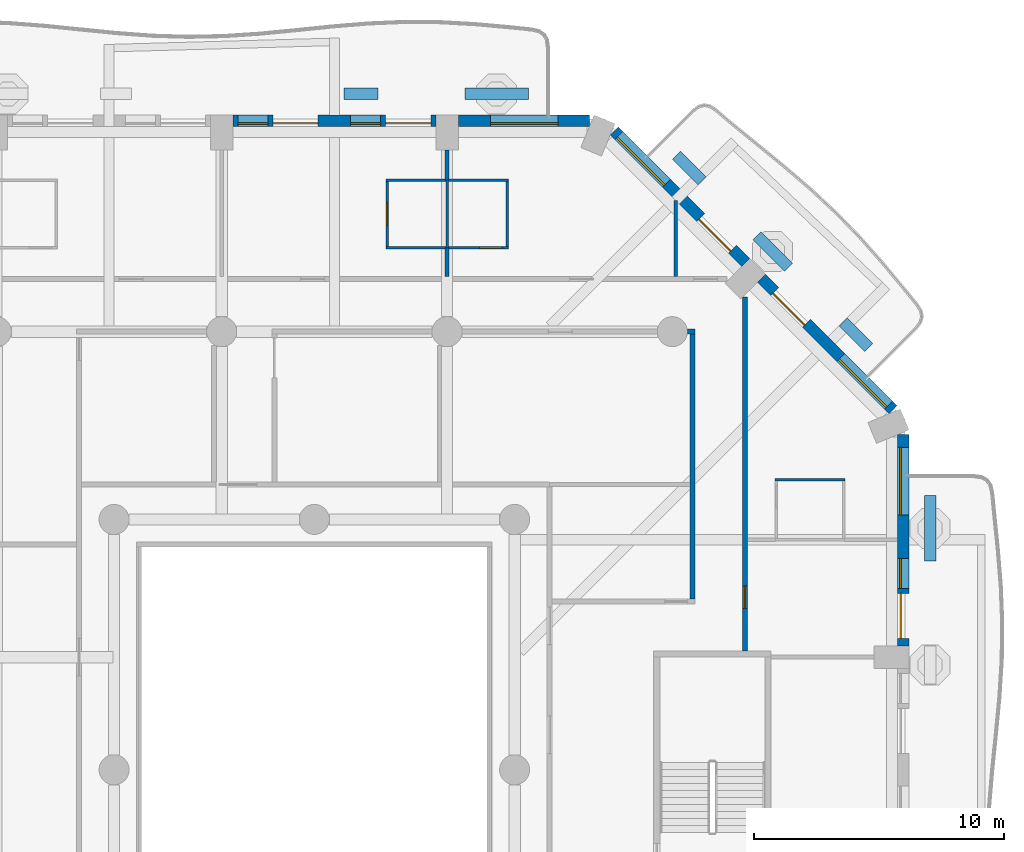
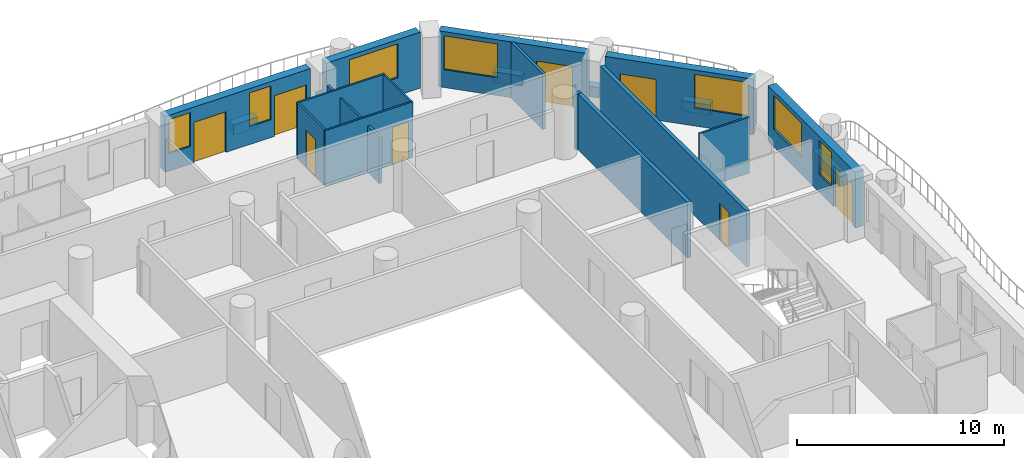
# One storey, part 9 of 19: 23 walls, 8 doors, 7 windows, 15 openings.
"""IFC4 building model written with IfcOpenShell, lengths in metres."""

from ifc_helpers import new_model, si_unit, direction, frame, frame_2d, origin, place, context, subcontext, project, spatial, rectangle, extrude, material, layer, layer_set, type_object, element, fill, save


model = new_model("IFC4")

# Units and contexts
model_context = context("Model", 3, precision=1e-05, world=origin(), true_north=direction((0.0, 1.0)))
body_context = subcontext(model_context, "Body", "Model", "MODEL_VIEW")
ifc_project = project(units=[si_unit("LENGTHUNIT", "METRE"), si_unit("AREAUNIT", "SQUARE_METRE"), si_unit("VOLUMEUNIT", "CUBIC_METRE"), si_unit("PLANEANGLEUNIT", "RADIAN"), si_unit("MASSUNIT", "GRAM", prefix="KILO")], contexts=[model_context])

# Site, building, storey
site_placement = place(None, origin())
site = spatial("IfcSite", under=ifc_project, at=site_placement, CompositionType="ELEMENT")
building_placement = place(site_placement, origin())
building = spatial("IfcBuilding", under=site, at=building_placement, Name="Cypress Arch Tower", CompositionType="ELEMENT")
storey_placement = place(building_placement, frame((0.0, 0.0, 69.89990234375)))
storey = spatial("IfcBuildingStorey", under=building, at=storey_placement, Name="L11", CompositionType="ELEMENT", Elevation=69.89990234375)

# Walls
ifc_material_1 = material(Name="Concrete C40/50, waterproofed", Category="concrete")
ifc_layer_1 = layer(ifc_material_1, 0.449951171875)
ifc_layer_set_1 = layer_set([ifc_layer_1], Name="Balcony planter wall PW450")
wall_type_1 = type_object("IfcWallType", Name="Balcony planter wall PW450", PredefinedType="SOLIDWALL", material=ifc_layer_set_1)
wall_1_placement = place(storey_placement, frame((25.60009765625, 8.335693359375, 0.0), z_axis=(0.0, 0.0, 1.0), x_axis=(0.0, 1.0, 0.0)))
element("IfcWall", 1, at=wall_1_placement, inside=storey, type_object=wall_type_1, Name="Balcony planter wall L11-A06.3", PredefinedType="SOLIDWALL", context=body_context, shape_type="SweptSolid", body=[
    extrude(rectangle(XDim=2.6142578125, YDim=0.449951171875, at=frame_2d((1.30712890625, 0.0))), origin(), (0.0, 0.0, 1.0), 0.60009765625),
])
wall_2_placement = place(storey_placement, frame((23.150390625, 16.86376953125, 0.0), z_axis=(0.0, 0.0, 1.0), x_axis=(-0.707106781187, 0.707106781187, 0.0)))
element("IfcWall", 2, at=wall_2_placement, inside=storey, type_object=wall_type_1, Name="Balcony planter wall L11-A07.1", PredefinedType="SOLIDWALL", context=body_context, shape_type="SweptSolid", body=[
    extrude(rectangle(XDim=1.44482421875, YDim=0.449951171875, at=frame_2d((0.722412109375, 0.0))), origin(), (0.0, 0.0, 1.0), 0.60009765625),
])
wall_3_placement = place(storey_placement, frame((19.9365234375, 20.07763671875, 0.0), z_axis=(0.0, 0.0, 1.0), x_axis=(-0.707106781187, 0.707106781187, 0.0)))
element("IfcWall", 3, at=wall_3_placement, inside=storey, type_object=wall_type_1, Name="Balcony planter wall L11-A07.2", PredefinedType="SOLIDWALL", context=body_context, shape_type="SweptSolid", body=[
    extrude(rectangle(XDim=1.780517578125, YDim=0.449951171875, at=frame_2d((0.89013671875, 0.0))), origin(), (0.0, 0.0, 1.0), 0.60009765625),
])
wall_4_placement = place(storey_placement, frame((16.485595703125, 23.528564453125, 0.0), z_axis=(0.0, 0.0, 1.0), x_axis=(-0.707022305137, 0.707191247145, 0.0)))
element("IfcWall", 4, at=wall_4_placement, inside=storey, type_object=wall_type_1, Name="Balcony planter wall L11-A07.3", PredefinedType="SOLIDWALL", context=body_context, shape_type="SweptSolid", body=[
    extrude(rectangle(XDim=1.445068359375, YDim=0.449951171875, at=frame_2d((0.72265625, 0.0))), origin(), (0.0, 0.0, 1.0), 0.60009765625),
])
wall_5_placement = place(storey_placement, frame((9.550048828125, 27.0, 0.0), z_axis=(0.0, 0.0, 1.0), x_axis=(-1.0, 0.0, 0.0)))
element("IfcWall", 5, at=wall_5_placement, inside=storey, type_object=wall_type_1, Name="Balcony planter wall L11-A08.1", PredefinedType="SOLIDWALL", context=body_context, shape_type="SweptSolid", body=[
    extrude(rectangle(XDim=2.53759765625, YDim=0.449951171875, at=frame_2d((1.268798828125, 0.0))), origin(), (0.0, 0.0, 1.0), 0.60009765625),
])
wall_6_placement = place(storey_placement, frame((3.550048828125, 27.0, 0.0), z_axis=(0.0, 0.0, 1.0), x_axis=(-1.0, 0.0, 0.0)))
element("IfcWall", 6, at=wall_6_placement, inside=storey, type_object=wall_type_1, Name="Balcony planter wall L11-A08.2", PredefinedType="SOLIDWALL", context=body_context, shape_type="SweptSolid", body=[
    extrude(rectangle(XDim=1.375, YDim=0.449951171875, at=frame_2d((0.6875, 0.0))), origin(), (0.0, 0.0, 1.0), 0.60009765625),
])

# Wall, openings, door, windows
ifc_material_2 = material(Name="Brick (red buff blend)", Category="masonry")
ifc_layer_2 = layer(ifc_material_2, 0.449951171875)
ifc_layer_set_2 = layer_set([ifc_layer_2], Name="Brick pier and spandrel wall BW450")
wall_type_2 = type_object("IfcWallType", Name="Brick pier and spandrel wall BW450", PredefinedType="SOLIDWALL", material=ifc_layer_set_2)
wall_7_placement = place(storey_placement, frame((24.52490234375, 4.949951171875, 0.0), z_axis=(0.0, 0.0, 1.0), x_axis=(0.0, 1.0, 0.0)))
wall_7 = element("IfcWall", 7, at=wall_7_placement, inside=storey, type_object=wall_type_2, Name="Brick wall L11 A06.3", PredefinedType="SOLIDWALL", context=body_context, shape_type="SweptSolid", body=[
    extrude(rectangle(XDim=8.438720703125, YDim=0.449951171875, at=frame_2d((4.21923828125, 0.0))), origin(), (0.0, 0.0, 1.0), 3.300048828125),
])
opening_1_placement = place(wall_7_placement, frame((0.2939453125, 0.0, 0.0)))
opening_1 = element("IfcOpeningElement", 8, at=opening_1_placement, cuts=wall_7, Name="Opening D-L11-A06.3.1", PredefinedType="OPENING", context=body_context, shape_type="SweptSolid", body=[
    extrude(rectangle(XDim=1.800048828125, YDim=2.39990234375, at=frame_2d((0.89990234375, 1.199951171875))), frame((0.0, 0.23486328125, 0.0), z_axis=(0.0, -1.0, 0.0), x_axis=(1.0, 0.0, 0.0)), (0.0, 0.0, 1.0), 0.469970703125),
])
opening_2_placement = place(wall_7_placement, frame((2.2939453125, 0.0, 1.050048828125)))
opening_2 = element("IfcOpeningElement", 9, at=opening_2_placement, cuts=wall_7, Name="Opening W120HD", PredefinedType="OPENING", context=body_context, shape_type="SweptSolid", body=[
    extrude(rectangle(XDim=1.199951171875, YDim=2.0, at=frame_2d((0.60009765625, 1.0))), frame((0.0, 0.23486328125, 0.0), z_axis=(0.0, -1.0, 0.0), x_axis=(1.0, 0.0, 0.0)), (0.0, 0.0, 1.0), 0.469970703125),
])
opening_3_placement = place(wall_7_placement, frame((5.231689453125, 0.0, 1.050048828125)))
opening_3 = element("IfcOpeningElement", 10, at=opening_3_placement, cuts=wall_7, Name="Opening W270HD", PredefinedType="OPENING", context=body_context, shape_type="SweptSolid", body=[
    extrude(rectangle(XDim=2.699951171875, YDim=2.0, at=frame_2d((1.35009765625, 1.0))), frame((0.0, 0.23486328125, 0.0), z_axis=(0.0, -1.0, 0.0), x_axis=(1.0, 0.0, 0.0)), (0.0, 0.0, 1.0), 0.469970703125),
])
ifc_material_3 = material(Name="Anodised aluminium, bronze finish, laminated low-emissivity double glazing, large-missile impact rated", Category="aluminium")
door_type_1 = type_object("IfcDoorType", Name="Balcony sliding door 1800x2400", OperationType="SLIDING_TO_LEFT", PredefinedType="DOOR", material=ifc_material_3)
door_1_placement = place(opening_1_placement, origin())
door_1 = element("IfcDoor", 11, at=door_1_placement, inside=storey, type_object=door_type_1, Name="Balcony door L11 A06.3.1", OperationType="SLIDING_TO_LEFT", OverallHeight=2.39990234375, OverallWidth=1.800048828125, PredefinedType="DOOR", context=body_context, shape_type="SweptSolid", body=[
    extrude(rectangle(XDim=1.800048828125, YDim=2.39990234375, at=frame_2d((0.89990234375, 1.199951171875))), frame((0.0, 0.1298828125, 0.0), z_axis=(0.0, -1.0, 0.0), x_axis=(1.0, 0.0, 0.0)), (0.0, 0.0, 1.0), 0.050048828125),
])
fill(opening_1, door_1)
ifc_material_4 = material(Name="Anodised aluminium, bronze finish, laminated low-emissivity double glazing, large-missile impact rated", Category="aluminium")
window_type_1 = type_object("IfcWindowType", Name="Window Hotel 1200x2000 debris-rated", PartitioningType="SINGLE_PANEL", PredefinedType="WINDOW", material=ifc_material_4)
window_1_placement = place(opening_2_placement, origin())
window_1 = element("IfcWindow", 12, at=window_1_placement, inside=storey, type_object=window_type_1, Name="Window L11 A06.3.1", OverallHeight=2.0, OverallWidth=1.199951171875, PartitioningType="SINGLE_PANEL", PredefinedType="WINDOW", context=body_context, shape_type="SweptSolid", body=[
    extrude(rectangle(XDim=1.199951171875, YDim=2.0, at=frame_2d((0.60009765625, 1.0))), frame((0.0, 0.135009765625, 0.0), z_axis=(0.0, -1.0, 0.0), x_axis=(1.0, 0.0, 0.0)), (0.0, 0.0, 1.0), 0.06005859375),
])
fill(opening_2, window_1)
ifc_material_5 = material(Name="Anodised aluminium, bronze finish, laminated low-emissivity double glazing, large-missile impact rated", Category="aluminium")
window_type_2 = type_object("IfcWindowType", Name="Window Hotel 2700x2000 debris-rated", PartitioningType="SINGLE_PANEL", PredefinedType="WINDOW", material=ifc_material_5)
window_2_placement = place(opening_3_placement, origin())
window_2 = element("IfcWindow", 13, at=window_2_placement, inside=storey, type_object=window_type_2, Name="Window L11 A06.3.2", OverallHeight=2.0, OverallWidth=2.699951171875, PartitioningType="SINGLE_PANEL", PredefinedType="WINDOW", context=body_context, shape_type="SweptSolid", body=[
    extrude(rectangle(XDim=2.699951171875, YDim=2.0, at=frame_2d((1.35009765625, 1.0))), frame((0.0, 0.135009765625, 0.0), z_axis=(0.0, -1.0, 0.0), x_axis=(1.0, 0.0, 0.0)), (0.0, 0.0, 1.0), 0.06005859375),
])
fill(opening_3, window_2)

# Wall, openings, door, window
wall_8_placement = place(storey_placement, frame((24.11474609375, 14.379150390625, 0.0), z_axis=(0.0, 0.0, 1.0), x_axis=(-0.707106781187, 0.707106781187, 0.0)))
wall_8 = element("IfcWall", 14, at=wall_8_placement, inside=storey, type_object=wall_type_2, Name="Brick wall L11 A07.0", PredefinedType="SOLIDWALL", context=body_context, shape_type="SweptSolid", body=[
    extrude(rectangle(XDim=7.423828125, YDim=0.449951171875, at=frame_2d((3.7119140625, 0.0))), origin(), (0.0, 0.0, 1.0), 3.300048828125),
])
opening_4_placement = place(wall_8_placement, frame((0.253173828125, 0.0, 1.050048828125)))
opening_4 = element("IfcOpeningElement", 15, at=opening_4_placement, cuts=wall_8, Name="Opening W270HD", PredefinedType="OPENING", context=body_context, shape_type="SweptSolid", body=[
    extrude(rectangle(XDim=2.699951171875, YDim=2.0, at=frame_2d((1.35009765625, 1.0))), frame((0.0, 0.23486328125, 0.0), z_axis=(0.0, -1.0, 0.0), x_axis=(1.0, 0.0, 0.0)), (0.0, 0.0, 1.0), 0.469970703125),
])
opening_5_placement = place(wall_8_placement, frame((4.8837890625, 0.0, 0.0)))
opening_5 = element("IfcOpeningElement", 16, at=opening_5_placement, cuts=wall_8, Name="Opening D-L11-A07.0.2", PredefinedType="OPENING", context=body_context, shape_type="SweptSolid", body=[
    extrude(rectangle(XDim=1.800048828125, YDim=2.39990234375, at=frame_2d((0.89990234375, 1.199951171875))), frame((0.0, 0.23486328125, 0.0), z_axis=(0.0, -1.0, 0.0), x_axis=(1.0, 0.0, 0.0)), (0.0, 0.0, 1.0), 0.469970703125),
])
door_2_placement = place(opening_5_placement, origin())
door_2 = element("IfcDoor", 17, at=door_2_placement, inside=storey, type_object=door_type_1, Name="Balcony door L11 A07.0.2", OperationType="SLIDING_TO_LEFT", OverallHeight=2.39990234375, OverallWidth=1.800048828125, PredefinedType="DOOR", context=body_context, shape_type="SweptSolid", body=[
    extrude(rectangle(XDim=1.800048828125, YDim=2.39990234375, at=frame_2d((0.89990234375, 1.199951171875))), frame((0.0, 0.1298828125, 0.0), z_axis=(0.0, -1.0, 0.0), x_axis=(1.0, 0.0, 0.0)), (0.0, 0.0, 1.0), 0.050048828125),
])
fill(opening_5, door_2)
window_3_placement = place(opening_4_placement, origin())
window_3 = element("IfcWindow", 18, at=window_3_placement, inside=storey, type_object=window_type_2, Name="Window L11 A07.0.1", OverallHeight=2.0, OverallWidth=2.699951171875, PartitioningType="SINGLE_PANEL", PredefinedType="WINDOW", context=body_context, shape_type="SweptSolid", body=[
    extrude(rectangle(XDim=2.699951171875, YDim=2.0, at=frame_2d((1.35009765625, 1.0))), frame((0.0, 0.135009765625, 0.0), z_axis=(0.0, -1.0, 0.0), x_axis=(1.0, 0.0, 0.0)), (0.0, 0.0, 1.0), 0.06005859375),
])
fill(opening_4, window_3)

wall_9_placement = place(storey_placement, frame((18.228759765625, 20.26513671875, 0.0), z_axis=(0.0, 0.0, 1.0), x_axis=(-0.707106781187, 0.707106781187, 0.0)))
wall_9 = element("IfcWall", 19, at=wall_9_placement, inside=storey, type_object=wall_type_2, Name="Brick wall L11 A07.1", PredefinedType="SOLIDWALL", context=body_context, shape_type="SweptSolid", body=[
    extrude(rectangle(XDim=7.423828125, YDim=0.449951171875, at=frame_2d((3.7119140625, 0.0))), origin(), (0.0, 0.0, 1.0), 3.300048828125),
])
opening_6_placement = place(wall_9_placement, frame((0.740234375, 0.0, 0.0)))
opening_6 = element("IfcOpeningElement", 20, at=opening_6_placement, cuts=wall_9, Name="Opening D-L11-A07.1.1", PredefinedType="OPENING", context=body_context, shape_type="SweptSolid", body=[
    extrude(rectangle(XDim=1.800048828125, YDim=2.39990234375, at=frame_2d((0.89990234375, 1.199951171875))), frame((0.0, 0.23486328125, 0.0), z_axis=(0.0, -1.0, 0.0), x_axis=(1.0, 0.0, 0.0)), (0.0, 0.0, 1.0), 0.469970703125),
])
opening_7_placement = place(wall_9_placement, frame((4.470703125, 0.0, 1.050048828125)))
opening_7 = element("IfcOpeningElement", 21, at=opening_7_placement, cuts=wall_9, Name="Opening W270HD", PredefinedType="OPENING", context=body_context, shape_type="SweptSolid", body=[
    extrude(rectangle(XDim=2.699951171875, YDim=2.0, at=frame_2d((1.35009765625, 1.0))), frame((0.0, 0.23486328125, 0.0), z_axis=(0.0, -1.0, 0.0), x_axis=(1.0, 0.0, 0.0)), (0.0, 0.0, 1.0), 0.469970703125),
])
door_3_placement = place(opening_6_placement, origin())
door_3 = element("IfcDoor", 22, at=door_3_placement, inside=storey, type_object=door_type_1, Name="Balcony door L11 A07.1.1", OperationType="SLIDING_TO_LEFT", OverallHeight=2.39990234375, OverallWidth=1.800048828125, PredefinedType="DOOR", context=body_context, shape_type="SweptSolid", body=[
    extrude(rectangle(XDim=1.800048828125, YDim=2.39990234375, at=frame_2d((0.89990234375, 1.199951171875))), frame((0.0, 0.1298828125, 0.0), z_axis=(0.0, -1.0, 0.0), x_axis=(1.0, 0.0, 0.0)), (0.0, 0.0, 1.0), 0.050048828125),
])
fill(opening_6, door_3)
window_4_placement = place(opening_7_placement, origin())
window_4 = element("IfcWindow", 23, at=window_4_placement, inside=storey, type_object=window_type_2, Name="Window L11 A07.1.2", OverallHeight=2.0, OverallWidth=2.699951171875, PartitioningType="SINGLE_PANEL", PredefinedType="WINDOW", context=body_context, shape_type="SweptSolid", body=[
    extrude(rectangle(XDim=2.699951171875, YDim=2.0, at=frame_2d((1.35009765625, 1.0))), frame((0.0, 0.135009765625, 0.0), z_axis=(0.0, -1.0, 0.0), x_axis=(1.0, 0.0, 0.0)), (0.0, 0.0, 1.0), 0.06005859375),
])
fill(opening_7, window_4)

# Wall, opening, window
wall_10_placement = place(storey_placement, frame((11.98876953125, 25.925048828125, 0.0), z_axis=(0.0, 0.0, 1.0), x_axis=(-1.0, 0.0, 0.0)))
wall_10 = element("IfcWall", 24, at=wall_10_placement, inside=storey, type_object=wall_type_2, Name="Brick wall L11 A08.0", PredefinedType="SOLIDWALL", context=body_context, shape_type="SweptSolid", body=[
    extrude(rectangle(XDim=5.23876953125, YDim=0.449951171875, at=frame_2d((2.619384765625, 0.0))), origin(), (0.0, 0.0, 1.0), 3.300048828125),
])
opening_8_placement = place(wall_10_placement, frame((1.250732421875, 0.0, 1.050048828125)))
opening_8 = element("IfcOpeningElement", 25, at=opening_8_placement, cuts=wall_10, Name="Opening W270HD", PredefinedType="OPENING", context=body_context, shape_type="SweptSolid", body=[
    extrude(rectangle(XDim=2.699951171875, YDim=2.0, at=frame_2d((1.35009765625, 1.0))), frame((0.0, 0.23486328125, 0.0), z_axis=(0.0, -1.0, 0.0), x_axis=(1.0, 0.0, 0.0)), (0.0, 0.0, 1.0), 0.469970703125),
])
window_5_placement = place(opening_8_placement, origin())
window_5 = element("IfcWindow", 26, at=window_5_placement, inside=storey, type_object=window_type_2, Name="Window L11 A08.0.1", OverallHeight=2.0, OverallWidth=2.699951171875, PartitioningType="SINGLE_PANEL", PredefinedType="WINDOW", context=body_context, shape_type="SweptSolid", body=[
    extrude(rectangle(XDim=2.699951171875, YDim=2.0, at=frame_2d((1.35009765625, 1.0))), frame((0.0, 0.135009765625, 0.0), z_axis=(0.0, -1.0, 0.0), x_axis=(1.0, 0.0, 0.0)), (0.0, 0.0, 1.0), 0.06005859375),
])
fill(opening_8, window_5)

# Wall, openings, doors, windows
wall_11_placement = place(storey_placement, frame((5.85009765625, 25.925048828125, 0.0), z_axis=(0.0, 0.0, 1.0), x_axis=(-1.0, 0.0, 0.0)))
wall_11 = element("IfcWall", 27, at=wall_11_placement, inside=storey, type_object=wall_type_2, Name="Brick wall L11 A08.1", PredefinedType="SOLIDWALL", context=body_context, shape_type="SweptSolid", body=[
    extrude(rectangle(XDim=8.10009765625, YDim=0.449951171875, at=frame_2d((4.050048828125, 0.0))), origin(), (0.0, 0.0, 1.0), 3.300048828125),
])
opening_9_placement = place(wall_11_placement, frame((0.199951171875, 0.0, 0.0)))
opening_9 = element("IfcOpeningElement", 28, at=opening_9_placement, cuts=wall_11, Name="Opening D-L11-A08.1.1", PredefinedType="OPENING", context=body_context, shape_type="SweptSolid", body=[
    extrude(rectangle(XDim=1.800048828125, YDim=2.39990234375, at=frame_2d((0.89990234375, 1.199951171875))), frame((0.0, 0.23486328125, 0.0), z_axis=(0.0, -1.0, 0.0), x_axis=(1.0, 0.0, 0.0)), (0.0, 0.0, 1.0), 0.469970703125),
])
opening_10_placement = place(wall_11_placement, frame((2.199951171875, 0.0, 1.050048828125)))
opening_10 = element("IfcOpeningElement", 29, at=opening_10_placement, cuts=wall_11, Name="Opening W120HD", PredefinedType="OPENING", context=body_context, shape_type="SweptSolid", body=[
    extrude(rectangle(XDim=1.199951171875, YDim=2.0, at=frame_2d((0.60009765625, 1.0))), frame((0.0, 0.23486328125, 0.0), z_axis=(0.0, -1.0, 0.0), x_axis=(1.0, 0.0, 0.0)), (0.0, 0.0, 1.0), 0.469970703125),
])
opening_11_placement = place(wall_11_placement, frame((4.699951171875, 0.0, 0.0)))
opening_11 = element("IfcOpeningElement", 30, at=opening_11_placement, cuts=wall_11, Name="Opening D-L11-A08.1.2", PredefinedType="OPENING", context=body_context, shape_type="SweptSolid", body=[
    extrude(rectangle(XDim=1.800048828125, YDim=2.39990234375, at=frame_2d((0.89990234375, 1.199951171875))), frame((0.0, 0.23486328125, 0.0), z_axis=(0.0, -1.0, 0.0), x_axis=(1.0, 0.0, 0.0)), (0.0, 0.0, 1.0), 0.469970703125),
])
opening_12_placement = place(wall_11_placement, frame((6.699951171875, 0.0, 1.050048828125)))
opening_12 = element("IfcOpeningElement", 31, at=opening_12_placement, cuts=wall_11, Name="Opening W120HD", PredefinedType="OPENING", context=body_context, shape_type="SweptSolid", body=[
    extrude(rectangle(XDim=1.199951171875, YDim=2.0, at=frame_2d((0.60009765625, 1.0))), frame((0.0, 0.23486328125, 0.0), z_axis=(0.0, -1.0, 0.0), x_axis=(1.0, 0.0, 0.0)), (0.0, 0.0, 1.0), 0.469970703125),
])
door_4_placement = place(opening_9_placement, origin())
door_4 = element("IfcDoor", 32, at=door_4_placement, inside=storey, type_object=door_type_1, Name="Balcony door L11 A08.1.1", OperationType="SLIDING_TO_LEFT", OverallHeight=2.39990234375, OverallWidth=1.800048828125, PredefinedType="DOOR", context=body_context, shape_type="SweptSolid", body=[
    extrude(rectangle(XDim=1.800048828125, YDim=2.39990234375, at=frame_2d((0.89990234375, 1.199951171875))), frame((0.0, 0.1298828125, 0.0), z_axis=(0.0, -1.0, 0.0), x_axis=(1.0, 0.0, 0.0)), (0.0, 0.0, 1.0), 0.050048828125),
])
fill(opening_9, door_4)
door_5_placement = place(opening_11_placement, origin())
door_5 = element("IfcDoor", 33, at=door_5_placement, inside=storey, type_object=door_type_1, Name="Balcony door L11 A08.1.2", OperationType="SLIDING_TO_LEFT", OverallHeight=2.39990234375, OverallWidth=1.800048828125, PredefinedType="DOOR", context=body_context, shape_type="SweptSolid", body=[
    extrude(rectangle(XDim=1.800048828125, YDim=2.39990234375, at=frame_2d((0.89990234375, 1.199951171875))), frame((0.0, 0.1298828125, 0.0), z_axis=(0.0, -1.0, 0.0), x_axis=(1.0, 0.0, 0.0)), (0.0, 0.0, 1.0), 0.050048828125),
])
fill(opening_11, door_5)
window_6_placement = place(opening_10_placement, origin())
window_6 = element("IfcWindow", 34, at=window_6_placement, inside=storey, type_object=window_type_1, Name="Window L11 A08.1.1", OverallHeight=2.0, OverallWidth=1.199951171875, PartitioningType="SINGLE_PANEL", PredefinedType="WINDOW", context=body_context, shape_type="SweptSolid", body=[
    extrude(rectangle(XDim=1.199951171875, YDim=2.0, at=frame_2d((0.60009765625, 1.0))), frame((0.0, 0.135009765625, 0.0), z_axis=(0.0, -1.0, 0.0), x_axis=(1.0, 0.0, 0.0)), (0.0, 0.0, 1.0), 0.06005859375),
])
fill(opening_10, window_6)
window_7_placement = place(opening_12_placement, origin())
window_7 = element("IfcWindow", 35, at=window_7_placement, inside=storey, type_object=window_type_1, Name="Window L11 A08.1.2", OverallHeight=2.0, OverallWidth=1.199951171875, PartitioningType="SINGLE_PANEL", PredefinedType="WINDOW", context=body_context, shape_type="SweptSolid", body=[
    extrude(rectangle(XDim=1.199951171875, YDim=2.0, at=frame_2d((0.60009765625, 1.0))), frame((0.0, 0.135009765625, 0.0), z_axis=(0.0, -1.0, 0.0), x_axis=(1.0, 0.0, 0.0)), (0.0, 0.0, 1.0), 0.06005859375),
])
fill(opening_12, window_7)

# Walls
ifc_material_6 = material(Name="Concrete blockwork, plastered, rated", Category="masonry")
ifc_layer_3 = layer(ifc_material_6, 0.199951171875)
ifc_layer_set_3 = layer_set([ifc_layer_3], Name="Corridor wall FW200")
wall_type_3 = type_object("IfcWallType", Name="Corridor wall FW200", PredefinedType="PARTITIONING", material=ifc_layer_set_3)
wall_12_placement = place(storey_placement, frame((15.89990234375, 17.5, 0.0), z_axis=(0.0, 0.0, 1.0), x_axis=(1.0, 0.0, 0.0)))
element("IfcWall", 36, at=wall_12_placement, inside=storey, type_object=wall_type_3, Name="Corridor wall", PredefinedType="PARTITIONING", context=body_context, shape_type="SweptSolid", body=[
    extrude(rectangle(XDim=0.300048828125, YDim=0.199951171875, at=frame_2d((0.14990234375, 0.0))), origin(), (0.0, 0.0, 1.0), 3.300048828125),
])
wall_13_placement = place(storey_placement, frame((16.10009765625, 6.824951171875, 0.0), z_axis=(0.0, 0.0, 1.0), x_axis=(0.0, 1.0, 0.0)))
element("IfcWall", 37, at=wall_13_placement, inside=storey, type_object=wall_type_3, Name="Corridor wall", PredefinedType="PARTITIONING", context=body_context, shape_type="SweptSolid", body=[
    extrude(rectangle(XDim=10.574951171875, YDim=0.199951171875, at=frame_2d((5.28759765625, 0.0))), origin(), (0.0, 0.0, 1.0), 3.300048828125),
])

# Wall, opening, door
wall_14_placement = place(storey_placement, frame((18.199951171875, 4.75, 0.0), z_axis=(0.0, 0.0, 1.0), x_axis=(0.0, 1.0, 0.0)))
wall_14 = element("IfcWall", 38, at=wall_14_placement, inside=storey, type_object=wall_type_3, Name="Corridor wall", PredefinedType="PARTITIONING", context=body_context, shape_type="SweptSolid", body=[
    extrude(rectangle(XDim=14.133544921875, YDim=0.199951171875, at=frame_2d((7.06689453125, 0.0))), origin(), (0.0, 0.0, 1.0), 3.300048828125),
])
opening_13_placement = place(wall_14_placement, frame((1.699951171875, 0.0, 0.0)))
opening_13 = element("IfcOpeningElement", 39, at=opening_13_placement, cuts=wall_14, Name="Opening D05", PredefinedType="OPENING", context=body_context, shape_type="SweptSolid", body=[
    extrude(rectangle(XDim=0.89990234375, YDim=2.199951171875, at=frame_2d((0.449951171875, 1.10009765625))), frame((0.0, 0.10986328125, 0.0), z_axis=(0.0, -1.0, 0.0), x_axis=(1.0, 0.0, 0.0)), (0.0, 0.0, 1.0), 0.219970703125),
])
ifc_material_7 = material(Name="Timber flush door", Category="wood")
door_type_2 = type_object("IfcDoorType", Name="Service door D05 900x2200", OperationType="SINGLE_SWING_LEFT", PredefinedType="DOOR", material=ifc_material_7)
door_6_placement = place(opening_13_placement, origin())
door_6 = element("IfcDoor", 40, at=door_6_placement, inside=storey, type_object=door_type_2, Name="Service door", OperationType="SINGLE_SWING_RIGHT", OverallHeight=2.199951171875, OverallWidth=0.89990234375, PredefinedType="DOOR", context=body_context, shape_type="SweptSolid", body=[
    extrude(rectangle(XDim=0.89990234375, YDim=2.199951171875, at=frame_2d((0.449951171875, 1.10009765625))), frame((0.0, 0.02490234375, 0.0), z_axis=(0.0, -1.0, 0.0), x_axis=(1.0, 0.0, 0.0)), (0.0, 0.0, 1.0), 0.050048828125),
])
fill(opening_13, door_6)

# Walls
ifc_material_8 = material(Name="Blockwork, plastered both sides", Category="masonry")
ifc_layer_4 = layer(ifc_material_8, 0.14990234375)
ifc_layer_set_4 = layer_set([ifc_layer_4], Name="Partition PW150")
wall_type_4 = type_object("IfcWallType", Name="Partition PW150", PredefinedType="PARTITIONING", material=ifc_layer_set_4)
wall_15_placement = place(storey_placement, frame((6.300048828125, 19.699951171875, 0.0), z_axis=(0.0, 0.0, 1.0), x_axis=(0.0, 1.0, 0.0)))
element("IfcWall", 41, at=wall_15_placement, inside=storey, type_object=wall_type_4, Name="Partition", PredefinedType="PARTITIONING", context=body_context, shape_type="SweptSolid", body=[
    extrude(rectangle(XDim=1.150146484375, YDim=0.14990234375, at=frame_2d((0.5751953125, 0.0))), origin(), (0.0, 0.0, 1.0), 2.75),
])
wall_16_placement = place(storey_placement, frame((6.300048828125, 23.550048828125, 0.0), z_axis=(0.0, 0.0, 1.0), x_axis=(0.0, 1.0, 0.0)))
element("IfcWall", 42, at=wall_16_placement, inside=storey, type_object=wall_type_4, Name="Partition", PredefinedType="PARTITIONING", context=body_context, shape_type="SweptSolid", body=[
    extrude(rectangle(XDim=1.199951171875, YDim=0.14990234375, at=frame_2d((0.60009765625, 0.0))), origin(), (0.0, 0.0, 1.0), 2.75),
])
wall_17_placement = place(storey_placement, frame((15.431884765625, 19.699951171875, 0.0), z_axis=(0.0, 0.0, 1.0), x_axis=(0.0, 1.0, 0.0)))
element("IfcWall", 43, at=wall_17_placement, inside=storey, type_object=wall_type_4, Name="Partition", PredefinedType="PARTITIONING", context=body_context, shape_type="SweptSolid", body=[
    extrude(rectangle(XDim=3.043701171875, YDim=0.14990234375, at=frame_2d((1.52197265625, 0.0))), origin(), (0.0, 0.0, 1.0), 3.300048828125),
])

# Wall, opening, door
ifc_material_9 = material(Name="Moisture resistant board on steel studs, tiled", Category="steel")
ifc_layer_5 = layer(ifc_material_9, 0.10009765625)
ifc_layer_set_5 = layer_set([ifc_layer_5], Name="Wet wall PW100")
wall_type_5 = type_object("IfcWallType", Name="Wet wall PW100", PredefinedType="PARTITIONING", material=ifc_layer_set_5)
wall_18_placement = place(storey_placement, frame((3.904052734375, 20.89990234375, 0.0), z_axis=(0.0, 0.0, 1.0), x_axis=(0.0, 1.0, 0.0)))
wall_18 = element("IfcWall", 44, at=wall_18_placement, inside=storey, type_object=wall_type_5, Name="Wet wall", PredefinedType="PARTITIONING", context=body_context, shape_type="SweptSolid", body=[
    extrude(rectangle(XDim=2.60009765625, YDim=0.10009765625, at=frame_2d((1.300048828125, 0.0))), origin(), (0.0, 0.0, 1.0), 3.300048828125),
])
opening_14_placement = place(wall_18_placement, frame((0.85009765625, 0.0, 0.0)))
opening_14 = element("IfcOpeningElement", 45, at=opening_14_placement, cuts=wall_18, Name="Opening D03", PredefinedType="OPENING", context=body_context, shape_type="SweptSolid", body=[
    extrude(rectangle(XDim=0.89990234375, YDim=2.199951171875, at=frame_2d((0.449951171875, 1.10009765625))), frame((0.0, 0.06005859375, 0.0), z_axis=(0.0, -1.0, 0.0), x_axis=(1.0, 0.0, 0.0)), (0.0, 0.0, 1.0), 0.1201171875),
])
ifc_material_10 = material(Name="Timber flush door, moisture resistant", Category="wood")
door_type_3 = type_object("IfcDoorType", Name="Bathroom door D03 900x2200", OperationType="SINGLE_SWING_LEFT", PredefinedType="DOOR", material=ifc_material_10)
door_7_placement = place(opening_14_placement, origin())
door_7 = element("IfcDoor", 46, at=door_7_placement, inside=storey, type_object=door_type_3, Name="Bathroom door", OperationType="SINGLE_SWING_RIGHT", OverallHeight=2.199951171875, OverallWidth=0.89990234375, PredefinedType="DOOR", context=body_context, shape_type="SweptSolid", body=[
    extrude(rectangle(XDim=0.89990234375, YDim=2.199951171875, at=frame_2d((0.449951171875, 1.10009765625))), frame((0.0, 0.02490234375, 0.0), z_axis=(0.0, -1.0, 0.0), x_axis=(1.0, 0.0, 0.0)), (0.0, 0.0, 1.0), 0.050048828125),
])
fill(opening_14, door_7)

wall_19_placement = place(storey_placement, frame((3.85400390625, 20.85009765625, 0.0), z_axis=(0.0, 0.0, 1.0), x_axis=(1.0, 0.0, 0.0)))
wall_19 = element("IfcWall", 47, at=wall_19_placement, inside=storey, type_object=wall_type_5, Name="Wet wall", PredefinedType="PARTITIONING", context=body_context, shape_type="SweptSolid", body=[
    extrude(rectangle(XDim=4.89208984375, YDim=0.10009765625, at=frame_2d((2.446044921875, 0.0))), origin(), (0.0, 0.0, 1.0), 3.300048828125),
])
opening_15_placement = place(wall_19_placement, frame((3.75, 0.0, 0.0)))
opening_15 = element("IfcOpeningElement", 48, at=opening_15_placement, cuts=wall_19, Name="Opening D03", PredefinedType="OPENING", context=body_context, shape_type="SweptSolid", body=[
    extrude(rectangle(XDim=0.89990234375, YDim=2.199951171875, at=frame_2d((0.449951171875, 1.10009765625))), frame((0.0, 0.06005859375, 0.0), z_axis=(0.0, -1.0, 0.0), x_axis=(1.0, 0.0, 0.0)), (0.0, 0.0, 1.0), 0.1201171875),
])
door_8_placement = place(opening_15_placement, origin())
door_8 = element("IfcDoor", 49, at=door_8_placement, inside=storey, type_object=door_type_3, Name="Bathroom door", OperationType="SINGLE_SWING_RIGHT", OverallHeight=2.199951171875, OverallWidth=0.89990234375, PredefinedType="DOOR", context=body_context, shape_type="SweptSolid", body=[
    extrude(rectangle(XDim=0.89990234375, YDim=2.199951171875, at=frame_2d((0.449951171875, 1.10009765625))), frame((0.0, 0.02490234375, 0.0), z_axis=(0.0, -1.0, 0.0), x_axis=(1.0, 0.0, 0.0)), (0.0, 0.0, 1.0), 0.050048828125),
])
fill(opening_15, door_8)

# Walls
wall_20_placement = place(storey_placement, frame((3.85400390625, 23.550048828125, 0.0), z_axis=(0.0, 0.0, 1.0), x_axis=(1.0, 0.0, 0.0)))
element("IfcWall", 50, at=wall_20_placement, inside=storey, type_object=wall_type_5, Name="Wet wall", PredefinedType="PARTITIONING", context=body_context, shape_type="SweptSolid", body=[
    extrude(rectangle(XDim=4.89208984375, YDim=0.10009765625, at=frame_2d((2.446044921875, 0.0))), origin(), (0.0, 0.0, 1.0), 3.300048828125),
])
wall_21_placement = place(storey_placement, frame((6.300048828125, 20.85009765625, 0.0), z_axis=(0.0, 0.0, 1.0), x_axis=(0.0, 1.0, 0.0)))
element("IfcWall", 51, at=wall_21_placement, inside=storey, type_object=wall_type_5, Name="Wet wall", PredefinedType="PARTITIONING", context=body_context, shape_type="SweptSolid", body=[
    extrude(rectangle(XDim=2.699951171875, YDim=0.10009765625, at=frame_2d((1.35009765625, 0.0))), origin(), (0.0, 0.0, 1.0), 2.75),
])
wall_22_placement = place(storey_placement, frame((8.696044921875, 20.89990234375, 0.0), z_axis=(0.0, 0.0, 1.0), x_axis=(0.0, 1.0, 0.0)))
element("IfcWall", 52, at=wall_22_placement, inside=storey, type_object=wall_type_5, Name="Wet wall", PredefinedType="PARTITIONING", context=body_context, shape_type="SweptSolid", body=[
    extrude(rectangle(XDim=2.60009765625, YDim=0.10009765625, at=frame_2d((1.300048828125, 0.0))), origin(), (0.0, 0.0, 1.0), 3.300048828125),
])
wall_23_placement = place(storey_placement, frame((19.39990234375, 11.5859375, 0.0), z_axis=(0.0, 0.0, 1.0), x_axis=(1.0, 0.0, 0.0)))
element("IfcWall", 53, at=wall_23_placement, inside=storey, type_object=wall_type_5, Name="Wet wall", PredefinedType="PARTITIONING", context=body_context, shape_type="SweptSolid", body=[
    extrude(rectangle(XDim=2.800048828125, YDim=0.10009765625, at=frame_2d((1.39990234375, 0.0))), origin(), (0.0, 0.0, 1.0), 3.300048828125),
])

save(model, "model.ifc")
